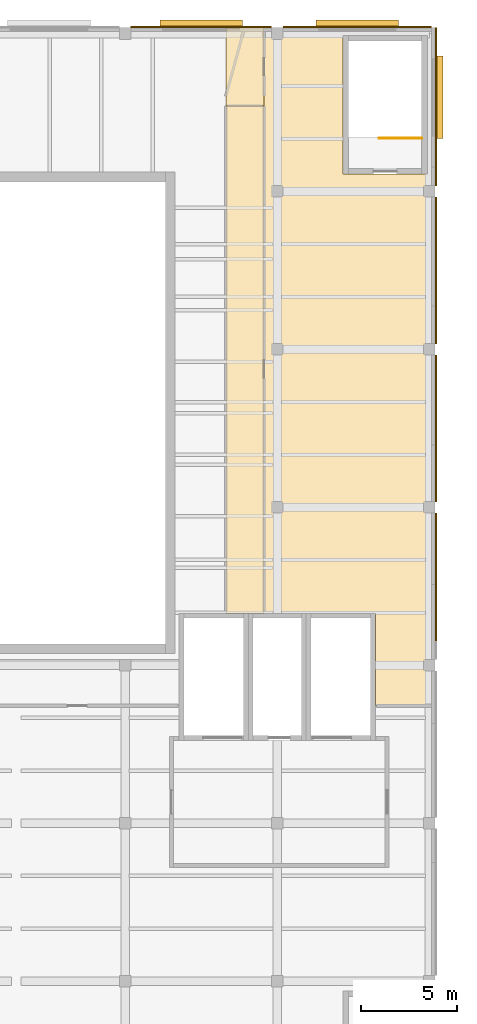
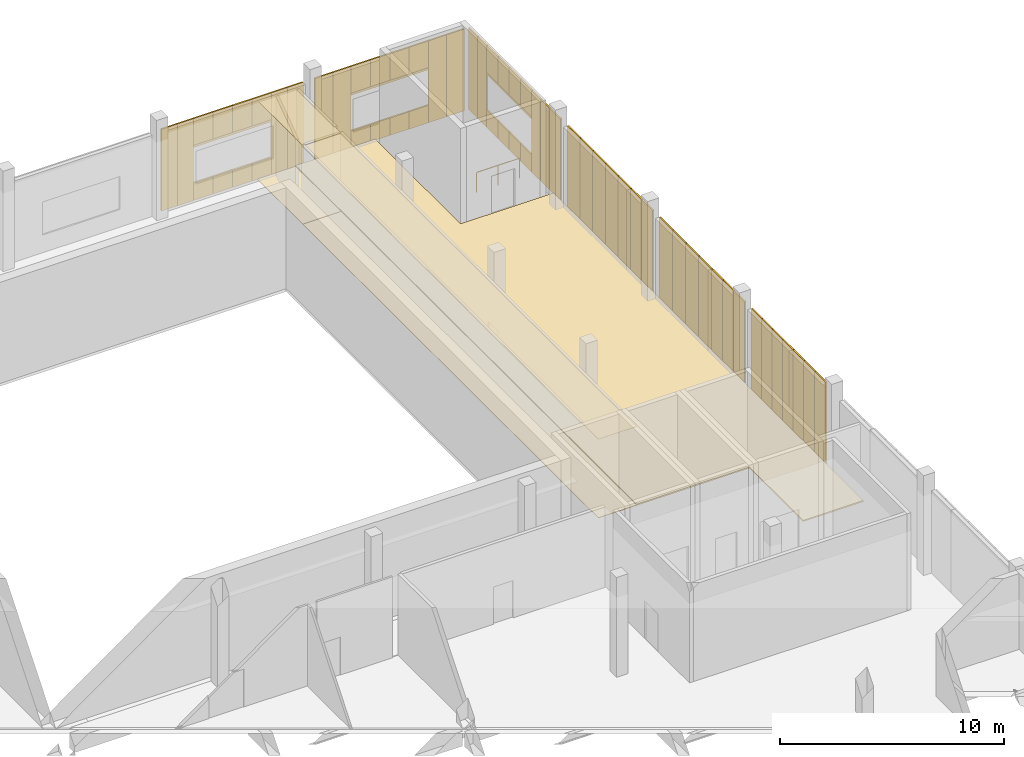
# One storey, part 86 of 87: 63 coverings, 3 shading devices, 1 railing.
"""IFC4 building model written with IfcOpenShell, lengths in metres."""

from ifc_helpers import new_model, si_unit, direction, frame, origin, origin_2d, place, context, subcontext, project, spatial, polyline, rectangle, circle, outline, extrude, material, layer, layer_set, type_object, element, save


model = new_model("IFC4")

# Units and contexts
model_context = context("Model", 3, precision=1e-05, world=origin(), true_north=direction((0.0, 1.0)))
body_context = subcontext(model_context, "Body", "Model", "MODEL_VIEW")
ifc_project = project(units=[si_unit("LENGTHUNIT", "METRE"), si_unit("AREAUNIT", "SQUARE_METRE"), si_unit("VOLUMEUNIT", "CUBIC_METRE"), si_unit("PLANEANGLEUNIT", "RADIAN"), si_unit("MASSUNIT", "GRAM", prefix="KILO")], contexts=[model_context])

# Site, building, storey
site_placement = place(None, origin())
site = spatial("IfcSite", under=ifc_project, at=site_placement, CompositionType="ELEMENT")
building_placement = place(site_placement, origin())
building = spatial("IfcBuilding", under=site, at=building_placement, Name="Lunette Opera House", CompositionType="ELEMENT")
storey_placement = place(building_placement, frame((0.0, 0.0, 11.5)))
storey = spatial("IfcBuildingStorey", under=building, at=storey_placement, Name="L02", CompositionType="ELEMENT", Elevation=11.5)

# Coverings
ifc_material_1 = material(Name="Dark grey aluminium cassette", Category="aluminium")
ifc_layer_1 = layer(ifc_material_1, 0.080078125)
ifc_layer_set_1 = layer_set([ifc_layer_1], Name="Dark grey aluminium cassette")
covering_type_1 = type_object("IfcCoveringType", Name="DARK METAL CASSETTE 80", PredefinedType="CLADDING", material=ifc_layer_set_1)
for number, where, z_axis, x_axis, name in (
    (1, (184.0400390625, 104.662109375, 0.0), (0.0, 0.0, 1.0), (0.0, 1.0, 0.0), "Dark Metal Cassette 80 WK L02"),
    (2, (184.0400390625, 105.637939453125, 0.0), (0.0, 0.0, 1.0), (0.0, 1.0, 0.0), "Dark Metal Cassette 80 WK L02"),
    (3, (184.0400390625, 106.612060546875, 0.0), (0.0, 0.0, 1.0), (0.0, 1.0, 0.0), "Dark Metal Cassette 80 WK L02"),
):
    element("IfcCovering", number, at=place(storey_placement, frame(where, z_axis=z_axis, x_axis=x_axis)), inside=storey, type_object=covering_type_1, Name=name, PredefinedType="CLADDING", context=body_context, shape_type="SweptSolid", body=[
        extrude(rectangle(XDim=0.97509765625, YDim=0.080078125, at=origin_2d()), origin(), (0.0, 0.0, 1.0), 4.449951171875),
    ])
for number, where, z_axis, x_axis, name in (
    (4, (184.0400390625, 107.56201171875, 0.0), (0.0, 0.0, 1.0), (0.0, 1.0, 0.0), "Dark Metal Cassette 80 WK L02"),
    (5, (184.0400390625, 108.487060546875, 0.0), (0.0, 0.0, 1.0), (0.0, 1.0, 0.0), "Dark Metal Cassette 80 WK L02"),
    (6, (184.0400390625, 109.412109375, 0.0), (0.0, 0.0, 1.0), (0.0, 1.0, 0.0), "Dark Metal Cassette 80 WK L02"),
    (7, (184.0400390625, 110.3369140625, 0.0), (0.0, 0.0, 1.0), (0.0, 1.0, 0.0), "Dark Metal Cassette 80 WK L02"),
):
    element("IfcCovering", number, at=place(storey_placement, frame(where, z_axis=z_axis, x_axis=x_axis)), inside=storey, type_object=covering_type_1, Name=name, PredefinedType="CLADDING", context=body_context, shape_type="SweptSolid", body=[
        extrude(rectangle(XDim=0.925048828125, YDim=0.080078125, at=origin_2d()), origin(), (0.0, 0.0, 1.0), 4.449951171875),
    ])
for number, where, z_axis, x_axis, name in (
    (8, (184.0400390625, 111.887939453125, 0.0), (0.0, 0.0, 1.0), (0.0, 1.0, 0.0), "Dark Metal Cassette 80 WK L02"),
    (9, (184.0400390625, 112.863037109375, 0.0), (0.0, 0.0, 1.0), (0.0, 1.0, 0.0), "Dark Metal Cassette 80 WK L02"),
    (10, (184.0400390625, 113.837890625, 0.0), (0.0, 0.0, 1.0), (0.0, 1.0, 0.0), "Dark Metal Cassette 80 WK L02"),
):
    element("IfcCovering", number, at=place(storey_placement, frame(where, z_axis=z_axis, x_axis=x_axis)), inside=storey, type_object=covering_type_1, Name=name, PredefinedType="CLADDING", context=body_context, shape_type="SweptSolid", body=[
        extrude(rectangle(XDim=0.97509765625, YDim=0.080078125, at=origin_2d()), origin(), (0.0, 0.0, 1.0), 4.449951171875),
    ])
for number, where, z_axis, x_axis, name in (
    (11, (184.0400390625, 114.908935546875, 0.0), (0.0, 0.0, 1.0), (0.0, 1.0, 0.0), "Dark Metal Cassette 80 WK L02"),
    (12, (184.0400390625, 116.077880859375, 0.0), (0.0, 0.0, 1.0), (0.0, 1.0, 0.0), "Dark Metal Cassette 80 WK L02"),
    (13, (184.0400390625, 117.2470703125, 0.0), (0.0, 0.0, 1.0), (0.0, 1.0, 0.0), "Dark Metal Cassette 80 WK L02"),
    (14, (184.0400390625, 118.416015625, 0.0), (0.0, 0.0, 1.0), (0.0, 1.0, 0.0), "Dark Metal Cassette 80 WK L02"),
):
    element("IfcCovering", number, at=place(storey_placement, frame(where, z_axis=z_axis, x_axis=x_axis)), inside=storey, type_object=covering_type_1, Name=name, PredefinedType="CLADDING", context=body_context, shape_type="SweptSolid", body=[
        extrude(rectangle(XDim=1.1689453125, YDim=0.080078125, at=origin_2d()), origin(), (0.0, 0.0, 1.0), 4.449951171875),
    ])
for number, where, z_axis, x_axis, name in (
    (15, (184.0400390625, 120.0869140625, 0.0), (0.0, 0.0, 1.0), (0.0, 1.0, 0.0), "Dark Metal Cassette 80 WK L02"),
    (16, (184.0400390625, 121.06201171875, 0.0), (0.0, 0.0, 1.0), (0.0, 1.0, 0.0), "Dark Metal Cassette 80 WK L02"),
):
    element("IfcCovering", number, at=place(storey_placement, frame(where, z_axis=z_axis, x_axis=x_axis)), inside=storey, type_object=covering_type_1, Name=name, PredefinedType="CLADDING", context=body_context, shape_type="SweptSolid", body=[
        extrude(rectangle(XDim=0.97509765625, YDim=0.080078125, at=origin_2d()), origin(), (0.0, 0.0, 1.0), 4.449951171875),
    ])
for number, where, z_axis, x_axis, name in (
    (17, (184.0400390625, 122.114990234375, 0.0), (0.0, 0.0, 1.0), (0.0, 1.0, 0.0), "Dark Metal Cassette 80 WK L02"),
    (18, (184.0400390625, 123.2451171875, 0.0), (0.0, 0.0, 1.0), (0.0, 1.0, 0.0), "Dark Metal Cassette 80 WK L02"),
    (19, (184.0400390625, 124.375, 0.0), (0.0, 0.0, 1.0), (0.0, 1.0, 0.0), "Dark Metal Cassette 80 WK L02"),
    (20, (184.0400390625, 125.5048828125, 0.0), (0.0, 0.0, 1.0), (0.0, 1.0, 0.0), "Dark Metal Cassette 80 WK L02"),
    (21, (184.0400390625, 126.635009765625, 0.0), (0.0, 0.0, 1.0), (0.0, 1.0, 0.0), "Dark Metal Cassette 80 WK L02"),
):
    element("IfcCovering", number, at=place(storey_placement, frame(where, z_axis=z_axis, x_axis=x_axis)), inside=storey, type_object=covering_type_1, Name=name, PredefinedType="CLADDING", context=body_context, shape_type="SweptSolid", body=[
        extrude(rectangle(XDim=1.1298828125, YDim=0.080078125, at=origin_2d()), origin(), (0.0, 0.0, 1.0), 4.449951171875),
    ])
covering_1_placement = place(storey_placement, frame((184.0400390625, 128.287109375, 0.0), z_axis=(0.0, 0.0, 1.0), x_axis=(0.0, 1.0, 0.0)))
element("IfcCovering", 22, at=covering_1_placement, inside=storey, type_object=covering_type_1, Name="Dark Metal Cassette 80 WK L02", PredefinedType="CLADDING", context=body_context, shape_type="SweptSolid", body=[
    extrude(rectangle(XDim=0.97509765625, YDim=0.080078125, at=origin_2d()), origin(), (0.0, 0.0, 1.0), 4.449951171875),
])
for number, where, z_axis, x_axis, name in (
    (23, (184.0400390625, 129.177978515625, 0.0), (0.0, 0.0, 1.0), (0.0, 1.0, 0.0), "Dark Metal Cassette 80 WK L02"),
    (24, (184.0400390625, 129.98388671875, 0.0), (0.0, 0.0, 1.0), (0.0, 1.0, 0.0), "Dark Metal Cassette 80 WK L02"),
):
    element("IfcCovering", number, at=place(storey_placement, frame(where, z_axis=z_axis, x_axis=x_axis)), inside=storey, type_object=covering_type_1, Name=name, PredefinedType="CLADDING", context=body_context, shape_type="SweptSolid", body=[
        extrude(rectangle(XDim=0.805908203125, YDim=0.080078125, at=origin_2d()), origin(), (0.0, 0.0, 1.0), 4.449951171875),
    ])
covering_2_placement = place(storey_placement, frame((184.0400390625, 130.886962890625, 0.0), z_axis=(0.0, 0.0, 1.0), x_axis=(0.0, 1.0, 0.0)))
element("IfcCovering", 25, at=covering_2_placement, inside=storey, type_object=covering_type_1, Name="Dark Metal Cassette 80 WK L02", PredefinedType="CLADDING", context=body_context, shape_type="SweptSolid", body=[
    extrude(rectangle(XDim=1.0, YDim=0.080078125, at=origin_2d()), origin(), (0.0, 0.0, 1.0), 0.949951171875),
])
covering_3_placement = place(storey_placement, frame((184.0400390625, 130.886962890625, 3.0), z_axis=(0.0, 0.0, 1.0), x_axis=(0.0, 1.0, 0.0)))
element("IfcCovering", 26, at=covering_3_placement, inside=storey, type_object=covering_type_1, Name="Dark Metal Cassette 80 WK L02", PredefinedType="CLADDING", context=body_context, shape_type="SweptSolid", body=[
    extrude(rectangle(XDim=1.0, YDim=0.080078125, at=origin_2d()), origin(), (0.0, 0.0, 1.0), 1.449951171875),
])
covering_4_placement = place(storey_placement, frame((184.0400390625, 131.886962890625, 0.0), z_axis=(0.0, 0.0, 1.0), x_axis=(0.0, 1.0, 0.0)))
element("IfcCovering", 27, at=covering_4_placement, inside=storey, type_object=covering_type_1, Name="Dark Metal Cassette 80 WK L02", PredefinedType="CLADDING", context=body_context, shape_type="SweptSolid", body=[
    extrude(rectangle(XDim=1.0, YDim=0.080078125, at=origin_2d()), origin(), (0.0, 0.0, 1.0), 0.949951171875),
])
covering_5_placement = place(storey_placement, frame((184.0400390625, 131.886962890625, 3.0), z_axis=(0.0, 0.0, 1.0), x_axis=(0.0, 1.0, 0.0)))
element("IfcCovering", 28, at=covering_5_placement, inside=storey, type_object=covering_type_1, Name="Dark Metal Cassette 80 WK L02", PredefinedType="CLADDING", context=body_context, shape_type="SweptSolid", body=[
    extrude(rectangle(XDim=1.0, YDim=0.080078125, at=origin_2d()), origin(), (0.0, 0.0, 1.0), 1.449951171875),
])
covering_6_placement = place(storey_placement, frame((184.0400390625, 132.886962890625, 0.0), z_axis=(0.0, 0.0, 1.0), x_axis=(0.0, 1.0, 0.0)))
element("IfcCovering", 29, at=covering_6_placement, inside=storey, type_object=covering_type_1, Name="Dark Metal Cassette 80 WK L02", PredefinedType="CLADDING", context=body_context, shape_type="SweptSolid", body=[
    extrude(rectangle(XDim=1.0, YDim=0.080078125, at=origin_2d()), origin(), (0.0, 0.0, 1.0), 0.949951171875),
])
covering_7_placement = place(storey_placement, frame((184.0400390625, 132.886962890625, 3.0), z_axis=(0.0, 0.0, 1.0), x_axis=(0.0, 1.0, 0.0)))
element("IfcCovering", 30, at=covering_7_placement, inside=storey, type_object=covering_type_1, Name="Dark Metal Cassette 80 WK L02", PredefinedType="CLADDING", context=body_context, shape_type="SweptSolid", body=[
    extrude(rectangle(XDim=1.0, YDim=0.080078125, at=origin_2d()), origin(), (0.0, 0.0, 1.0), 1.449951171875),
])
covering_8_placement = place(storey_placement, frame((184.0400390625, 133.886962890625, 0.0), z_axis=(0.0, 0.0, 1.0), x_axis=(0.0, 1.0, 0.0)))
element("IfcCovering", 31, at=covering_8_placement, inside=storey, type_object=covering_type_1, Name="Dark Metal Cassette 80 WK L02", PredefinedType="CLADDING", context=body_context, shape_type="SweptSolid", body=[
    extrude(rectangle(XDim=1.0, YDim=0.080078125, at=origin_2d()), origin(), (0.0, 0.0, 1.0), 0.949951171875),
])
covering_9_placement = place(storey_placement, frame((184.0400390625, 133.886962890625, 3.0), z_axis=(0.0, 0.0, 1.0), x_axis=(0.0, 1.0, 0.0)))
element("IfcCovering", 32, at=covering_9_placement, inside=storey, type_object=covering_type_1, Name="Dark Metal Cassette 80 WK L02", PredefinedType="CLADDING", context=body_context, shape_type="SweptSolid", body=[
    extrude(rectangle(XDim=1.0, YDim=0.080078125, at=origin_2d()), origin(), (0.0, 0.0, 1.0), 1.449951171875),
])
for number, where, z_axis, x_axis, name in (
    (33, (184.0400390625, 134.7900390625, 0.0), (0.0, 0.0, 1.0), (0.0, 1.0, 0.0), "Dark Metal Cassette 80 WK L02"),
    (34, (184.0400390625, 135.596923828125, 0.0), (0.0, 0.0, 1.0), (0.0, 1.0, 0.0), "Dark Metal Cassette 80 WK L02"),
):
    element("IfcCovering", number, at=place(storey_placement, frame(where, z_axis=z_axis, x_axis=x_axis)), inside=storey, type_object=covering_type_1, Name=name, PredefinedType="CLADDING", context=body_context, shape_type="SweptSolid", body=[
        extrude(rectangle(XDim=0.805908203125, YDim=0.080078125, at=origin_2d()), origin(), (0.0, 0.0, 1.0), 4.449951171875),
    ])
for number, where, z_axis, x_axis, name in (
    (35, (183.337890625, 136.0400390625, 0.0), (0.0, 0.0, 1.0), (-1.0, 0.0, 0.0), "Dark Metal Cassette 80 WK L02"),
    (36, (182.4130859375, 136.0400390625, 0.0), (0.0, 0.0, 1.0), (-1.0, 0.0, 0.0), "Dark Metal Cassette 80 WK L02"),
):
    element("IfcCovering", number, at=place(storey_placement, frame(where, z_axis=z_axis, x_axis=x_axis)), inside=storey, type_object=covering_type_1, Name=name, PredefinedType="CLADDING", context=body_context, shape_type="SweptSolid", body=[
        extrude(rectangle(XDim=0.925048828125, YDim=0.080078125, at=origin_2d()), origin(), (0.0, 0.0, 1.0), 4.449951171875),
    ])
covering_10_placement = place(storey_placement, frame((181.449951171875, 136.0400390625, 0.0), z_axis=(0.0, 0.0, 1.0), x_axis=(-1.0, 0.0, 0.0)))
element("IfcCovering", 37, at=covering_10_placement, inside=storey, type_object=covering_type_1, Name="Dark Metal Cassette 80 WK L02", PredefinedType="CLADDING", context=body_context, shape_type="SweptSolid", body=[
    extrude(rectangle(XDim=1.0, YDim=0.080078125, at=origin_2d()), origin(), (0.0, 0.0, 1.0), 0.949951171875),
])
covering_11_placement = place(storey_placement, frame((181.449951171875, 136.0400390625, 3.0), z_axis=(0.0, 0.0, 1.0), x_axis=(-1.0, 0.0, 0.0)))
element("IfcCovering", 38, at=covering_11_placement, inside=storey, type_object=covering_type_1, Name="Dark Metal Cassette 80 WK L02", PredefinedType="CLADDING", context=body_context, shape_type="SweptSolid", body=[
    extrude(rectangle(XDim=1.0, YDim=0.080078125, at=origin_2d()), origin(), (0.0, 0.0, 1.0), 1.449951171875),
])
covering_12_placement = place(storey_placement, frame((180.449951171875, 136.0400390625, 0.0), z_axis=(0.0, 0.0, 1.0), x_axis=(-1.0, 0.0, 0.0)))
element("IfcCovering", 39, at=covering_12_placement, inside=storey, type_object=covering_type_1, Name="Dark Metal Cassette 80 WK L02", PredefinedType="CLADDING", context=body_context, shape_type="SweptSolid", body=[
    extrude(rectangle(XDim=1.0, YDim=0.080078125, at=origin_2d()), origin(), (0.0, 0.0, 1.0), 0.949951171875),
])
covering_13_placement = place(storey_placement, frame((180.449951171875, 136.0400390625, 3.0), z_axis=(0.0, 0.0, 1.0), x_axis=(-1.0, 0.0, 0.0)))
element("IfcCovering", 40, at=covering_13_placement, inside=storey, type_object=covering_type_1, Name="Dark Metal Cassette 80 WK L02", PredefinedType="CLADDING", context=body_context, shape_type="SweptSolid", body=[
    extrude(rectangle(XDim=1.0, YDim=0.080078125, at=origin_2d()), origin(), (0.0, 0.0, 1.0), 1.449951171875),
])
covering_14_placement = place(storey_placement, frame((179.449951171875, 136.0400390625, 0.0), z_axis=(0.0, 0.0, 1.0), x_axis=(-1.0, 0.0, 0.0)))
element("IfcCovering", 41, at=covering_14_placement, inside=storey, type_object=covering_type_1, Name="Dark Metal Cassette 80 WK L02", PredefinedType="CLADDING", context=body_context, shape_type="SweptSolid", body=[
    extrude(rectangle(XDim=1.0, YDim=0.080078125, at=origin_2d()), origin(), (0.0, 0.0, 1.0), 0.949951171875),
])
covering_15_placement = place(storey_placement, frame((179.449951171875, 136.0400390625, 3.0), z_axis=(0.0, 0.0, 1.0), x_axis=(-1.0, 0.0, 0.0)))
element("IfcCovering", 42, at=covering_15_placement, inside=storey, type_object=covering_type_1, Name="Dark Metal Cassette 80 WK L02", PredefinedType="CLADDING", context=body_context, shape_type="SweptSolid", body=[
    extrude(rectangle(XDim=1.0, YDim=0.080078125, at=origin_2d()), origin(), (0.0, 0.0, 1.0), 1.449951171875),
])
covering_16_placement = place(storey_placement, frame((178.449951171875, 136.0400390625, 0.0), z_axis=(0.0, 0.0, 1.0), x_axis=(-1.0, 0.0, 0.0)))
element("IfcCovering", 43, at=covering_16_placement, inside=storey, type_object=covering_type_1, Name="Dark Metal Cassette 80 WK L02", PredefinedType="CLADDING", context=body_context, shape_type="SweptSolid", body=[
    extrude(rectangle(XDim=1.0, YDim=0.080078125, at=origin_2d()), origin(), (0.0, 0.0, 1.0), 0.949951171875),
])
covering_17_placement = place(storey_placement, frame((178.449951171875, 136.0400390625, 3.0), z_axis=(0.0, 0.0, 1.0), x_axis=(-1.0, 0.0, 0.0)))
element("IfcCovering", 44, at=covering_17_placement, inside=storey, type_object=covering_type_1, Name="Dark Metal Cassette 80 WK L02", PredefinedType="CLADDING", context=body_context, shape_type="SweptSolid", body=[
    extrude(rectangle(XDim=1.0, YDim=0.080078125, at=origin_2d()), origin(), (0.0, 0.0, 1.0), 1.449951171875),
])
for number, where, z_axis, x_axis, name in (
    (45, (177.488037109375, 136.0400390625, 0.0), (0.0, 0.0, 1.0), (-1.0, 0.0, 0.0), "Dark Metal Cassette 80 WK L02"),
    (46, (176.56201171875, 136.0400390625, 0.0), (0.0, 0.0, 1.0), (-1.0, 0.0, 0.0), "Dark Metal Cassette 80 WK L02"),
):
    element("IfcCovering", number, at=place(storey_placement, frame(where, z_axis=z_axis, x_axis=x_axis)), inside=storey, type_object=covering_type_1, Name=name, PredefinedType="CLADDING", context=body_context, shape_type="SweptSolid", body=[
        extrude(rectangle(XDim=0.925048828125, YDim=0.080078125, at=origin_2d()), origin(), (0.0, 0.0, 1.0), 4.449951171875),
    ])
for number, where, z_axis, x_axis, name in (
    (47, (175.087890625, 136.0400390625, 0.0), (0.0, 0.0, 1.0), (-1.0, 0.0, 0.0), "Dark Metal Cassette 80 WK L02"),
    (48, (174.261962890625, 136.0400390625, 0.0), (0.0, 0.0, 1.0), (-1.0, 0.0, 0.0), "Dark Metal Cassette 80 WK L02"),
):
    element("IfcCovering", number, at=place(storey_placement, frame(where, z_axis=z_axis, x_axis=x_axis)), inside=storey, type_object=covering_type_1, Name=name, PredefinedType="CLADDING", context=body_context, shape_type="SweptSolid", body=[
        extrude(rectangle(XDim=0.824951171875, YDim=0.080078125, at=origin_2d()), origin(), (0.0, 0.0, 1.0), 4.449951171875),
    ])
covering_18_placement = place(storey_placement, frame((173.35009765625, 136.0400390625, 0.0), z_axis=(0.0, 0.0, 1.0), x_axis=(-1.0, 0.0, 0.0)))
element("IfcCovering", 49, at=covering_18_placement, inside=storey, type_object=covering_type_1, Name="Dark Metal Cassette 80 WK L02", PredefinedType="CLADDING", context=body_context, shape_type="SweptSolid", body=[
    extrude(rectangle(XDim=1.0, YDim=0.080078125, at=origin_2d()), origin(), (0.0, 0.0, 1.0), 0.949951171875),
])
covering_19_placement = place(storey_placement, frame((173.35009765625, 136.0400390625, 3.0), z_axis=(0.0, 0.0, 1.0), x_axis=(-1.0, 0.0, 0.0)))
element("IfcCovering", 50, at=covering_19_placement, inside=storey, type_object=covering_type_1, Name="Dark Metal Cassette 80 WK L02", PredefinedType="CLADDING", context=body_context, shape_type="SweptSolid", body=[
    extrude(rectangle(XDim=1.0, YDim=0.080078125, at=origin_2d()), origin(), (0.0, 0.0, 1.0), 1.449951171875),
])
covering_20_placement = place(storey_placement, frame((172.35009765625, 136.0400390625, 0.0), z_axis=(0.0, 0.0, 1.0), x_axis=(-1.0, 0.0, 0.0)))
element("IfcCovering", 51, at=covering_20_placement, inside=storey, type_object=covering_type_1, Name="Dark Metal Cassette 80 WK L02", PredefinedType="CLADDING", context=body_context, shape_type="SweptSolid", body=[
    extrude(rectangle(XDim=1.0, YDim=0.080078125, at=origin_2d()), origin(), (0.0, 0.0, 1.0), 0.949951171875),
])
covering_21_placement = place(storey_placement, frame((172.35009765625, 136.0400390625, 3.0), z_axis=(0.0, 0.0, 1.0), x_axis=(-1.0, 0.0, 0.0)))
element("IfcCovering", 52, at=covering_21_placement, inside=storey, type_object=covering_type_1, Name="Dark Metal Cassette 80 WK L02", PredefinedType="CLADDING", context=body_context, shape_type="SweptSolid", body=[
    extrude(rectangle(XDim=1.0, YDim=0.080078125, at=origin_2d()), origin(), (0.0, 0.0, 1.0), 1.449951171875),
])
covering_22_placement = place(storey_placement, frame((171.35009765625, 136.0400390625, 0.0), z_axis=(0.0, 0.0, 1.0), x_axis=(-1.0, 0.0, 0.0)))
element("IfcCovering", 53, at=covering_22_placement, inside=storey, type_object=covering_type_1, Name="Dark Metal Cassette 80 WK L02", PredefinedType="CLADDING", context=body_context, shape_type="SweptSolid", body=[
    extrude(rectangle(XDim=1.0, YDim=0.080078125, at=origin_2d()), origin(), (0.0, 0.0, 1.0), 0.949951171875),
])
covering_23_placement = place(storey_placement, frame((171.35009765625, 136.0400390625, 3.0), z_axis=(0.0, 0.0, 1.0), x_axis=(-1.0, 0.0, 0.0)))
element("IfcCovering", 54, at=covering_23_placement, inside=storey, type_object=covering_type_1, Name="Dark Metal Cassette 80 WK L02", PredefinedType="CLADDING", context=body_context, shape_type="SweptSolid", body=[
    extrude(rectangle(XDim=1.0, YDim=0.080078125, at=origin_2d()), origin(), (0.0, 0.0, 1.0), 1.449951171875),
])
covering_24_placement = place(storey_placement, frame((170.35009765625, 136.0400390625, 0.0), z_axis=(0.0, 0.0, 1.0), x_axis=(-1.0, 0.0, 0.0)))
element("IfcCovering", 55, at=covering_24_placement, inside=storey, type_object=covering_type_1, Name="Dark Metal Cassette 80 WK L02", PredefinedType="CLADDING", context=body_context, shape_type="SweptSolid", body=[
    extrude(rectangle(XDim=1.0, YDim=0.080078125, at=origin_2d()), origin(), (0.0, 0.0, 1.0), 0.949951171875),
])
covering_25_placement = place(storey_placement, frame((170.35009765625, 136.0400390625, 3.0), z_axis=(0.0, 0.0, 1.0), x_axis=(-1.0, 0.0, 0.0)))
element("IfcCovering", 56, at=covering_25_placement, inside=storey, type_object=covering_type_1, Name="Dark Metal Cassette 80 WK L02", PredefinedType="CLADDING", context=body_context, shape_type="SweptSolid", body=[
    extrude(rectangle(XDim=1.0, YDim=0.080078125, at=origin_2d()), origin(), (0.0, 0.0, 1.0), 1.449951171875),
])
for number, where, z_axis, x_axis, name in (
    (57, (169.43798828125, 136.0400390625, 0.0), (0.0, 0.0, 1.0), (-1.0, 0.0, 0.0), "Dark Metal Cassette 80 WK L02"),
    (58, (168.612060546875, 136.0400390625, 0.0), (0.0, 0.0, 1.0), (-1.0, 0.0, 0.0), "Dark Metal Cassette 80 WK L02"),
):
    element("IfcCovering", number, at=place(storey_placement, frame(where, z_axis=z_axis, x_axis=x_axis)), inside=storey, type_object=covering_type_1, Name=name, PredefinedType="CLADDING", context=body_context, shape_type="SweptSolid", body=[
        extrude(rectangle(XDim=0.824951171875, YDim=0.080078125, at=origin_2d()), origin(), (0.0, 0.0, 1.0), 4.449951171875),
    ])
ifc_material_2 = material(Name="Cement screed")
ifc_layer_2 = layer(ifc_material_2, 0.070068359375)
ifc_layer_set_2 = layer_set([ifc_layer_2], Name="Cement screed")
covering_type_2 = type_object("IfcCoveringType", Name="SCREED FLOOR FINISH 70", PredefinedType="FLOORING", material=ifc_layer_set_2)
covering_26_placement = place(storey_placement, origin())
element("IfcCovering", 59, at=covering_26_placement, inside=storey, type_object=covering_type_2, Name="Floor finish Corridor L02 Workshop", PredefinedType="FLOORING", context=body_context, shape_type="SweptSolid", body=[
    extrude(outline(polyline([(183.597900390625, 128.39892578125), (184.0, 128.39892578125), (184.0, 103.199951171875), (184.0, 100.800048828125), (180.89990234375, 100.800048828125), (180.89990234375, 103.199951171875), (180.89990234375, 105.60009765625), (177.300048828125, 105.60009765625), (175.10400390625, 105.60009765625), (175.10400390625, 136.0), (179.198974609375, 136.0), (179.198974609375, 135.597900390625), (179.199951171875, 135.597900390625), (179.199951171875, 128.39990234375), (183.597900390625, 128.39990234375), (183.597900390625, 128.39892578125)])), origin(), (0.0, 0.0, 1.0), 0.070068359375),
])

# Railing
ifc_material_3 = material(Name="Steel S355", Category="steel")
railing_type = type_object("IfcRailingType", Name="STAIR GUARD 1100", PredefinedType="GUARDRAIL", material=ifc_material_3)
railing_placement = place(storey_placement, frame((183.300048828125, 130.25, 0.0)))
element("IfcRailing", 60, at=railing_placement, inside=storey, type_object=railing_type, Name="L02 ST19 top well guard 1", PredefinedType="GUARDRAIL", context=body_context, shape_type="SweptSolid", body=[
    extrude(circle(Radius=0.02392578125, at=origin_2d()), frame((0.0, 0.0, 1.076171875), z_axis=(-1.0, 0.0, 0.0), x_axis=(0.0, -1.0, 0.0)), (0.0, 0.0, 1.0), 2.199951171875),
    extrude(circle(Radius=0.02099609375, at=origin_2d()), origin(), (0.0, 0.0, 1.0), 1.052001953125),
    extrude(circle(Radius=0.02099609375, at=origin_2d()), frame((-1.10009765625, 0.0, 0.0)), (0.0, 0.0, 1.0), 1.052001953125),
    extrude(circle(Radius=0.02099609375, at=origin_2d()), frame((-2.199951171875, 0.0, 0.0)), (0.0, 0.0, 1.0), 1.052001953125),
])

# Coverings
ifc_material_4 = material(Name="Mineral fibre board")
ifc_layer_3 = layer(ifc_material_4, 0.014892578125)
ifc_layer_set_3 = layer_set([ifc_layer_3], Name="Mineral fibre board")
covering_type_3 = type_object("IfcCoveringType", Name="SUSPENDED ACOUSTIC CEILING 15", PredefinedType="CEILING", material=ifc_layer_set_3)
covering_27_placement = place(storey_placement, frame((0.0, 0.0, 4.284912109375)))
element("IfcCovering", 61, at=covering_27_placement, inside=storey, type_object=covering_type_3, Name="Ceiling Workshop WC L02", PredefinedType="CEILING", context=body_context, shape_type="SweptSolid", body=[
    extrude(outline(polyline([(173.1298828125, 105.60009765625), (173.1298828125, 131.947021484375), (175.10400390625, 131.947021484375), (175.10400390625, 105.60009765625), (174.300048828125, 105.60009765625), (173.1298828125, 105.60009765625)])), origin(), (0.0, 0.0, 1.0), 0.01513671875),
])
covering_28_placement = place(storey_placement, frame((0.0, 0.0, 4.284912109375)))
element("IfcCovering", 62, at=covering_28_placement, inside=storey, type_object=covering_type_3, Name="Ceiling Accessible WC L02 Workshop", PredefinedType="CEILING", context=body_context, shape_type="SweptSolid", body=[
    extrude(outline(polyline([(173.1298828125, 136.0), (175.10400390625, 136.0), (175.10400390625, 131.947021484375), (173.1298828125, 131.947021484375), (173.1298828125, 136.0)])), origin(), (0.0, 0.0, 1.0), 0.01513671875),
])
ifc_material_5 = material(Name="Ceramic tile")
ifc_layer_4 = layer(ifc_material_5, 0.02490234375)
ifc_layer_set_4 = layer_set([ifc_layer_4], Name="Ceramic tile")
covering_type_4 = type_object("IfcCoveringType", Name="TILED FLOOR FINISH 25", PredefinedType="FLOORING", material=ifc_layer_set_4)
covering_29_placement = place(storey_placement, origin())
element("IfcCovering", 63, at=covering_29_placement, inside=storey, type_object=covering_type_4, Name="Floor finish Workshop WC L02", PredefinedType="FLOORING", context=body_context, shape_type="SweptSolid", body=[
    extrude(outline(polyline([(173.1298828125, 105.60009765625), (173.1298828125, 131.947021484375), (175.10400390625, 131.947021484375), (175.10400390625, 105.60009765625), (174.300048828125, 105.60009765625), (173.1298828125, 105.60009765625)])), origin(), (0.0, 0.0, 1.0), 0.02490234375),
])
covering_30_placement = place(storey_placement, origin())
element("IfcCovering", 64, at=covering_30_placement, inside=storey, type_object=covering_type_4, Name="Floor finish Accessible WC L02 Workshop", PredefinedType="FLOORING", context=body_context, shape_type="SweptSolid", body=[
    extrude(outline(polyline([(173.1298828125, 136.0), (175.10400390625, 136.0), (175.10400390625, 131.947021484375), (173.1298828125, 131.947021484375), (173.1298828125, 136.0)])), origin(), (0.0, 0.0, 1.0), 0.02490234375),
])

# Shading devices
ifc_material_6 = material(Name="Powder-coated aluminium", Category="aluminium")
ifc_layer_5 = layer(ifc_material_6, 0.1201171875)
ifc_layer_set_5 = layer_set([ifc_layer_5], Name="Powder-coated aluminium")
shading_device_type = type_object("IfcShadingDeviceType", Name="WINDOW HOOD 400 X 4300", PredefinedType="USERDEFINED", material=ifc_layer_set_5)
for number, where, z_axis, x_axis, name in (
    (65, (184.199951171875, 132.386962890625, 2.8798828125), (0.0, 0.0, 1.0), (1.0, 0.0, 0.0), "Window hood WW-N2018"),
    (66, (179.949951171875, 136.199951171875, 2.8798828125), (0.0, 0.0, 1.0), (0.0, 1.0, 0.0), "Window hood WW-N2019"),
    (67, (171.85009765625, 136.199951171875, 2.8798828125), (0.0, 0.0, 1.0), (0.0, 1.0, 0.0), "Window hood WW-N2020"),
):
    element("IfcShadingDevice", number, at=place(storey_placement, frame(where, z_axis=z_axis, x_axis=x_axis)), inside=storey, type_object=shading_device_type, Name=name, ObjectType="WINDOW HOOD", PredefinedType="USERDEFINED", context=body_context, shape_type="SweptSolid", body=[
        extrude(rectangle(XDim=0.39990234375, YDim=4.300048828125, at=origin_2d()), origin(), (0.0, 0.0, 1.0), 0.1201171875),
    ])

save(model, "model.ifc")
